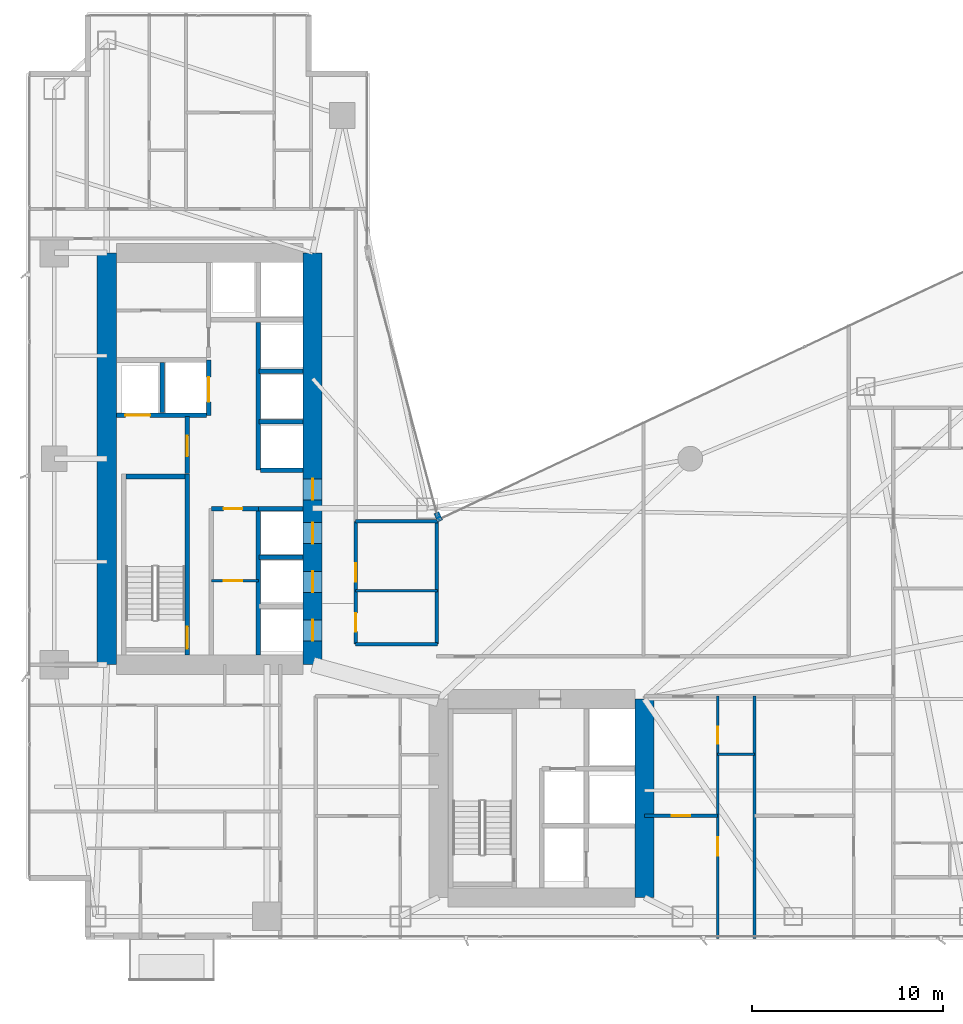
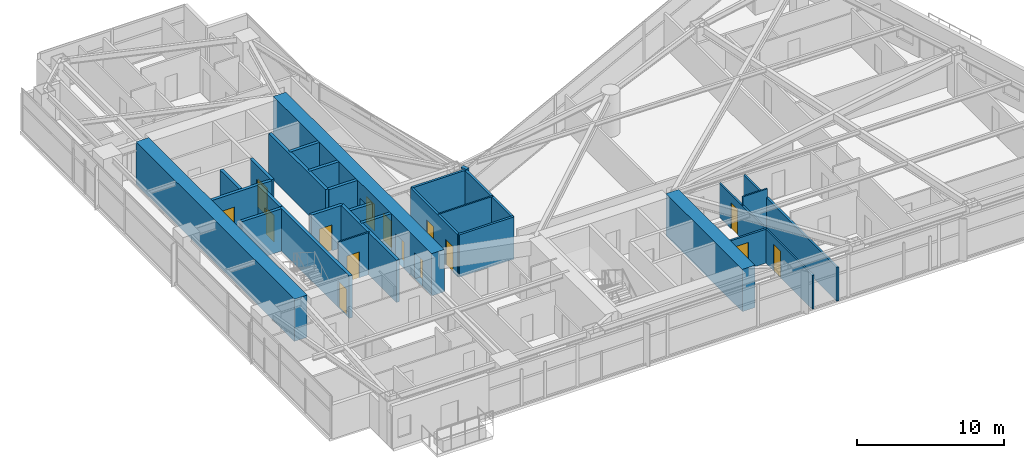
# One storey, part 22 of 28: 28 walls, 15 doors, 15 openings.
"""IFC4 building model written with IfcOpenShell, lengths in metres."""

from ifc_helpers import new_model, si_unit, direction, frame, frame_2d, origin, place, context, subcontext, project, spatial, rectangle, extrude, material, layer, layer_set, type_object, element, fill, save


model = new_model("IFC4")

# Units and contexts
model_context = context("Model", 3, precision=1e-05, world=origin(), true_north=direction((0.0, 1.0)))
body_context = subcontext(model_context, "Body", "Model", "MODEL_VIEW")
ifc_project = project(units=[si_unit("LENGTHUNIT", "METRE"), si_unit("AREAUNIT", "SQUARE_METRE"), si_unit("VOLUMEUNIT", "CUBIC_METRE"), si_unit("PLANEANGLEUNIT", "RADIAN"), si_unit("MASSUNIT", "GRAM", prefix="KILO")], contexts=[model_context])

# Site, building, storey
site_placement = place(None, origin())
site = spatial("IfcSite", under=ifc_project, at=site_placement, CompositionType="ELEMENT")
building_placement = place(site_placement, origin())
building = spatial("IfcBuilding", under=site, at=building_placement, Name="Calvorn Quay Hotel", CompositionType="ELEMENT")
storey_placement = place(building_placement, frame((0.0, 0.0, 88.800048828125)))
storey = spatial("IfcBuildingStorey", under=building, at=storey_placement, Name="L21", CompositionType="ELEMENT", Elevation=88.800048828125)

# Wall
ifc_material_1 = material(Name="Concrete C60", Category="concrete")
ifc_layer_1 = layer(ifc_material_1, 1.0)
ifc_layer_set_1 = layer_set([ifc_layer_1], Name="WL-CORE-1000")
wall_type_1 = type_object("IfcWallType", Name="WL-CORE-1000", PredefinedType="SHEAR", material=ifc_layer_set_1)
wall_1_placement = place(storey_placement, frame((4.199951171875, 16.800048828125, 0.0), z_axis=(0.0, 0.0, 1.0), x_axis=(0.0, 1.0, 0.0)))
element("IfcWall", 1, at=wall_1_placement, inside=storey, type_object=wall_type_1, Name="West Core Shear Wall W (L21)", PredefinedType="SHEAR", context=body_context, shape_type="SweptSolid", body=[
    extrude(rectangle(XDim=21.599853515625, YDim=1.0, at=frame_2d((10.7998046875, 0.0))), origin(), (0.0, 0.0, 1.0), 3.52001953125),
])

# Wall, openings, doors
wall_2_placement = place(storey_placement, frame((15.0, 16.800048828125, 0.0), z_axis=(0.0, 0.0, 1.0), x_axis=(0.0, 1.0, 0.0)))
wall_2 = element("IfcWall", 2, at=wall_2_placement, inside=storey, type_object=wall_type_1, Name="West Core Shear Wall E (L21)", PredefinedType="SHEAR", context=body_context, shape_type="SweptSolid", body=[
    extrude(rectangle(XDim=21.599853515625, YDim=1.0, at=frame_2d((10.7998046875, 0.0))), origin(), (0.0, 0.0, 1.0), 3.52001953125),
])
opening_1_placement = place(wall_2_placement, frame((8.64990234375, 0.0, 0.0)))
opening_1 = element("IfcOpeningElement", 3, at=opening_1_placement, cuts=wall_2, Name="Opening D-L21-CW1", PredefinedType="OPENING", context=body_context, shape_type="SweptSolid", body=[
    extrude(rectangle(XDim=1.10009765625, YDim=2.199951171875, at=frame_2d((0.550048828125, 1.10009765625))), frame((0.0, 0.510009765625, 0.0), z_axis=(0.0, -1.0, 0.0), x_axis=(1.0, 0.0, 0.0)), (0.0, 0.0, 1.0), 1.02001953125),
])
opening_2_placement = place(wall_2_placement, frame((1.25, 0.0, 0.0)))
opening_2 = element("IfcOpeningElement", 4, at=opening_2_placement, cuts=wall_2, Name="Opening LD-L21-L1", PredefinedType="OPENING", context=body_context, shape_type="SweptSolid", body=[
    extrude(rectangle(XDim=1.10009765625, YDim=2.199951171875, at=frame_2d((0.550048828125, 1.10009765625))), frame((0.0, 0.510009765625, 0.0), z_axis=(0.0, -1.0, 0.0), x_axis=(1.0, 0.0, 0.0)), (0.0, 0.0, 1.0), 1.02001953125),
])
opening_3_placement = place(wall_2_placement, frame((3.800048828125, 0.0, 0.0)))
opening_3 = element("IfcOpeningElement", 5, at=opening_3_placement, cuts=wall_2, Name="Opening LD-L21-L2", PredefinedType="OPENING", context=body_context, shape_type="SweptSolid", body=[
    extrude(rectangle(XDim=1.10009765625, YDim=2.199951171875, at=frame_2d((0.550048828125, 1.10009765625))), frame((0.0, 0.510009765625, 0.0), z_axis=(0.0, -1.0, 0.0), x_axis=(1.0, 0.0, 0.0)), (0.0, 0.0, 1.0), 1.02001953125),
])
opening_4_placement = place(wall_2_placement, frame((6.35009765625, 0.0, 0.0)))
opening_4 = element("IfcOpeningElement", 6, at=opening_4_placement, cuts=wall_2, Name="Opening LD-L21-L3", PredefinedType="OPENING", context=body_context, shape_type="SweptSolid", body=[
    extrude(rectangle(XDim=1.10009765625, YDim=2.199951171875, at=frame_2d((0.550048828125, 1.10009765625))), frame((0.0, 0.510009765625, 0.0), z_axis=(0.0, -1.0, 0.0), x_axis=(1.0, 0.0, 0.0)), (0.0, 0.0, 1.0), 1.02001953125),
])
ifc_material_2 = material(Name="Smoke-Sealed Steel Class A Fire Door", Category="steel")
door_type_1 = type_object("IfcDoorType", Name="DR-FFLOBBY-1100", OperationType="NOTDEFINED", PredefinedType="DOOR", material=ifc_material_2)
door_1_placement = place(opening_1_placement, origin())
door_1 = element("IfcDoor", 7, at=door_1_placement, inside=storey, type_object=door_type_1, Name="West Core Vestibule Fire Door (L21)", OperationType="SINGLE_SWING_RIGHT", OverallHeight=2.199951171875, OverallWidth=1.10009765625, PredefinedType="DOOR", context=body_context, shape_type="SweptSolid", body=[
    extrude(rectangle(XDim=1.10009765625, YDim=2.199951171875, at=frame_2d((0.550048828125, 1.10009765625))), frame((0.0, 0.02490234375, 0.0), z_axis=(0.0, -1.0, 0.0), x_axis=(1.0, 0.0, 0.0)), (0.0, 0.0, 1.0), 0.050048828125),
])
fill(opening_1, door_1)
ifc_material_3 = material(Name="Brushed Stainless Steel Sliding Lift Landing Door", Category="steel")
door_type_2 = type_object("IfcDoorType", Name="DR-LIFT-PASS-1100", OperationType="NOTDEFINED", PredefinedType="DOOR", material=ifc_material_3)
door_2_placement = place(opening_2_placement, origin())
door_2 = element("IfcDoor", 8, at=door_2_placement, inside=storey, type_object=door_type_2, Name="Low-Rise Lift PL-L1 Landing Door (L21)", OperationType="DOUBLE_DOOR_SLIDING", OverallHeight=2.199951171875, OverallWidth=1.10009765625, PredefinedType="DOOR", context=body_context, shape_type="SweptSolid", body=[
    extrude(rectangle(XDim=1.10009765625, YDim=2.199951171875, at=frame_2d((0.550048828125, 1.10009765625))), frame((0.0, 0.02490234375, 0.0), z_axis=(0.0, -1.0, 0.0), x_axis=(1.0, 0.0, 0.0)), (0.0, 0.0, 1.0), 0.050048828125),
])
fill(opening_2, door_2)
door_3_placement = place(opening_3_placement, origin())
door_3 = element("IfcDoor", 9, at=door_3_placement, inside=storey, type_object=door_type_2, Name="Low-Rise Lift PL-L2 Landing Door (L21)", OperationType="DOUBLE_DOOR_SLIDING", OverallHeight=2.199951171875, OverallWidth=1.10009765625, PredefinedType="DOOR", context=body_context, shape_type="SweptSolid", body=[
    extrude(rectangle(XDim=1.10009765625, YDim=2.199951171875, at=frame_2d((0.550048828125, 1.10009765625))), frame((0.0, 0.02490234375, 0.0), z_axis=(0.0, -1.0, 0.0), x_axis=(1.0, 0.0, 0.0)), (0.0, 0.0, 1.0), 0.050048828125),
])
fill(opening_3, door_3)
door_4_placement = place(opening_4_placement, origin())
door_4 = element("IfcDoor", 10, at=door_4_placement, inside=storey, type_object=door_type_2, Name="Low-Rise Lift PL-L3 Landing Door (L21)", OperationType="DOUBLE_DOOR_SLIDING", OverallHeight=2.199951171875, OverallWidth=1.10009765625, PredefinedType="DOOR", context=body_context, shape_type="SweptSolid", body=[
    extrude(rectangle(XDim=1.10009765625, YDim=2.199951171875, at=frame_2d((0.550048828125, 1.10009765625))), frame((0.0, 0.02490234375, 0.0), z_axis=(0.0, -1.0, 0.0), x_axis=(1.0, 0.0, 0.0)), (0.0, 0.0, 1.0), 0.050048828125),
])
fill(opening_4, door_4)

# Walls
wall_3_placement = place(storey_placement, frame((32.39990234375, 4.60009765625, 0.0), z_axis=(0.0, 0.0, 1.0), x_axis=(0.0, 1.0, 0.0)))
element("IfcWall", 11, at=wall_3_placement, inside=storey, type_object=wall_type_1, Name="East Core Shear Wall E (L21)", PredefinedType="SHEAR", context=body_context, shape_type="SweptSolid", body=[
    extrude(rectangle(XDim=10.39990234375, YDim=1.0, at=frame_2d((5.199951171875, 0.0))), origin(), (0.0, 0.0, 1.0), 3.52001953125),
])
ifc_material_4 = material(Name="Acoustic Fireboard Steel-Stud Partition", Category="steel")
ifc_layer_2 = layer(ifc_material_4, 0.179931640625)
ifc_layer_set_2 = layer_set([ifc_layer_2], Name="WL-CORR-FIRE-180")
wall_type_2 = type_object("IfcWallType", Name="WL-CORR-FIRE-180", PredefinedType="PARTITIONING", material=ifc_layer_set_2)
wall_4_placement = place(storey_placement, frame((17.25, 17.8798828125, 0.0), z_axis=(0.0, 0.0, 1.0), x_axis=(1.0, 0.0, 0.0)))
element("IfcWall", 12, at=wall_4_placement, inside=storey, type_object=wall_type_2, Name="Partition Wall L21-WL-HK-S", PredefinedType="PARTITIONING", context=body_context, shape_type="SweptSolid", body=[
    extrude(rectangle(XDim=4.300048828125, YDim=0.179931640625, at=frame_2d((2.14990234375, 0.0))), origin(), (0.0, 0.0, 1.0), 3.52001953125),
])
wall_5_placement = place(storey_placement, frame((17.25, 24.320068359375, 0.0), z_axis=(0.0, 0.0, 1.0), x_axis=(1.0, 0.0, 0.0)))
element("IfcWall", 13, at=wall_5_placement, inside=storey, type_object=wall_type_2, Name="Partition Wall L21-WL-HK-N", PredefinedType="PARTITIONING", context=body_context, shape_type="SweptSolid", body=[
    extrude(rectangle(XDim=4.35009765625, YDim=0.179931640625, at=frame_2d((2.175048828125, 0.0))), origin(), (0.0, 0.0, 1.0), 3.52001953125),
])
wall_6_placement = place(storey_placement, frame((21.5, 17.8798828125, 0.0), z_axis=(0.0, 0.0, 1.0), x_axis=(0.0, 1.0, 0.0)))
element("IfcWall", 14, at=wall_6_placement, inside=storey, type_object=wall_type_2, Name="Partition Wall L21-WL-HK-E", PredefinedType="PARTITIONING", context=body_context, shape_type="SweptSolid", body=[
    extrude(rectangle(XDim=6.440185546875, YDim=0.179931640625, at=frame_2d((3.22021484375, 0.0))), origin(), (0.0, 0.0, 1.0), 3.52001953125),
])

# Wall, openings, doors
wall_7_placement = place(storey_placement, frame((17.25, 17.8798828125, 0.0), z_axis=(0.0, 0.0, 1.0), x_axis=(0.0, 1.0, 0.0)))
wall_7 = element("IfcWall", 15, at=wall_7_placement, inside=storey, type_object=wall_type_2, Name="Partition Wall L21-WL-HK-W", PredefinedType="PARTITIONING", context=body_context, shape_type="SweptSolid", body=[
    extrude(rectangle(XDim=6.440185546875, YDim=0.179931640625, at=frame_2d((3.22021484375, 0.0))), origin(), (0.0, 0.0, 1.0), 3.52001953125),
])
opening_5_placement = place(wall_7_placement, frame((0.64990234375, 0.0, 0.0)))
opening_5 = element("IfcOpeningElement", 16, at=opening_5_placement, cuts=wall_7, Name="Opening D-L21-HK", PredefinedType="OPENING", context=body_context, shape_type="SweptSolid", body=[
    extrude(rectangle(XDim=0.97998046875, YDim=2.14990234375, at=frame_2d((0.489990234375, 1.074951171875))), frame((0.0, 0.099853515625, 0.0), z_axis=(0.0, -1.0, 0.0), x_axis=(1.0, 0.0, 0.0)), (0.0, 0.0, 1.0), 0.199951171875),
])
opening_6_placement = place(wall_7_placement, frame((3.27001953125, 0.0, 0.0)))
opening_6 = element("IfcOpeningElement", 17, at=opening_6_placement, cuts=wall_7, Name="Opening D-L21-NCP", PredefinedType="OPENING", context=body_context, shape_type="SweptSolid", body=[
    extrude(rectangle(XDim=0.9599609375, YDim=2.199951171875, at=frame_2d((0.47998046875, 1.10009765625))), frame((0.0, 0.099853515625, 0.0), z_axis=(0.0, -1.0, 0.0), x_axis=(1.0, 0.0, 0.0)), (0.0, 0.0, 1.0), 0.199951171875),
])
ifc_material_5 = material(Name="Painted Steel Housekeeping/Riser Fire Door", Category="steel")
door_type_3 = type_object("IfcDoorType", Name="DR-SERVICE-980", OperationType="NOTDEFINED", PredefinedType="DOOR", material=ifc_material_5)
door_5_placement = place(opening_5_placement, origin())
door_5 = element("IfcDoor", 18, at=door_5_placement, inside=storey, type_object=door_type_3, Name="Floor Housekeeping Door (L21)", OperationType="SINGLE_SWING_LEFT", OverallHeight=2.14990234375, OverallWidth=0.97998046875, PredefinedType="DOOR", context=body_context, shape_type="SweptSolid", body=[
    extrude(rectangle(XDim=0.97998046875, YDim=2.14990234375, at=frame_2d((0.489990234375, 1.074951171875))), frame((0.0, 0.02490234375, 0.0), z_axis=(0.0, -1.0, 0.0), x_axis=(1.0, 0.0, 0.0)), (0.0, 0.0, 1.0), 0.050048828125),
])
fill(opening_5, door_5)
ifc_material_6 = material(Name="Solid Timber Internal Suite Door", Category="wood")
door_type_4 = type_object("IfcDoorType", Name="DR-SUITE-INT-960", OperationType="NOTDEFINED", PredefinedType="DOOR", material=ifc_material_6)
door_6_placement = place(opening_6_placement, origin())
door_6 = element("IfcDoor", 19, at=door_6_placement, inside=storey, type_object=door_type_4, Name="Reading Alcove Door (L21)", OperationType="SINGLE_SWING_RIGHT", OverallHeight=2.199951171875, OverallWidth=0.9599609375, PredefinedType="DOOR", context=body_context, shape_type="SweptSolid", body=[
    extrude(rectangle(XDim=0.9599609375, YDim=2.199951171875, at=frame_2d((0.47998046875, 1.10009765625))), frame((0.0, 0.02490234375, 0.0), z_axis=(0.0, -1.0, 0.0), x_axis=(1.0, 0.0, 0.0)), (0.0, 0.0, 1.0), 0.050048828125),
])
fill(opening_6, door_6)

# Wall, opening, door
ifc_material_7 = material(Name="Moisture-Resistant Tile-Backed Partition")
ifc_layer_3 = layer(ifc_material_7, 0.125)
ifc_layer_set_3 = layer_set([ifc_layer_3], Name="WL-ENSUITE-125")
wall_type_3 = type_object("IfcWallType", Name="WL-ENSUITE-125", PredefinedType="PARTITIONING", material=ifc_layer_set_3)
wall_8_placement = place(storey_placement, frame((9.679931640625, 21.199951171875, 0.0), z_axis=(0.0, 0.0, 1.0), x_axis=(1.0, 0.0, 0.0)))
wall_8 = element("IfcWall", 20, at=wall_8_placement, inside=storey, type_object=wall_type_3, Name="Partition Wall L21-WL-CWW-SER-M", PredefinedType="PARTITIONING", context=body_context, shape_type="SweptSolid", body=[
    extrude(rectangle(XDim=2.469970703125, YDim=0.125, at=frame_2d((1.23486328125, 0.0))), origin(), (0.0, 0.0, 1.0), 3.52001953125),
])
opening_7_placement = place(wall_8_placement, frame((0.64990234375, 0.0, 0.0)))
opening_7 = element("IfcOpeningElement", 21, at=opening_7_placement, cuts=wall_8, Name="Opening D-L21-CSM", PredefinedType="OPENING", context=body_context, shape_type="SweptSolid", body=[
    extrude(rectangle(XDim=0.97998046875, YDim=2.14990234375, at=frame_2d((0.489990234375, 1.074951171875))), frame((0.0, 0.072509765625, 0.0), z_axis=(0.0, -1.0, 0.0), x_axis=(1.0, 0.0, 0.0)), (0.0, 0.0, 1.0), 0.14501953125),
])
door_7_placement = place(opening_7_placement, origin())
door_7 = element("IfcDoor", 22, at=door_7_placement, inside=storey, type_object=door_type_3, Name="Core Valet Pantry Door (L21)", OperationType="SINGLE_SWING_LEFT", OverallHeight=2.14990234375, OverallWidth=0.97998046875, PredefinedType="DOOR", context=body_context, shape_type="SweptSolid", body=[
    extrude(rectangle(XDim=0.97998046875, YDim=2.14990234375, at=frame_2d((0.489990234375, 1.074951171875))), frame((0.0, 0.02490234375, 0.0), z_axis=(0.0, -1.0, 0.0), x_axis=(1.0, 0.0, 0.0)), (0.0, 0.0, 1.0), 0.050048828125),
])
fill(opening_7, door_7)

# Walls
wall_9_placement = place(storey_placement, frame((17.25, 20.679931640625, 0.0), z_axis=(0.0, 0.0, 1.0), x_axis=(1.0, 0.0, 0.0)))
element("IfcWall", 23, at=wall_9_placement, inside=storey, type_object=wall_type_3, Name="Partition Wall L21-WL-HK-M", PredefinedType="PARTITIONING", context=body_context, shape_type="SweptSolid", body=[
    extrude(rectangle(XDim=4.300048828125, YDim=0.125, at=frame_2d((2.14990234375, 0.0))), origin(), (0.0, 0.0, 1.0), 3.52001953125),
])
wall_10_placement = place(storey_placement, frame((36.239990234375, 12.10009765625, 0.0), z_axis=(0.0, 0.0, 1.0), x_axis=(1.0, 0.0, 0.0)))
element("IfcWall", 24, at=wall_10_placement, inside=storey, type_object=wall_type_3, Name="Partition Wall L21-WL-U06-BDV", PredefinedType="PARTITIONING", context=body_context, shape_type="SweptSolid", body=[
    extrude(rectangle(XDim=1.929931640625, YDim=0.125, at=frame_2d((0.96484375, 0.0))), origin(), (0.0, 0.0, 1.0), 3.52001953125),
])

# Wall, openings, doors
wall_11_placement = place(storey_placement, frame((36.239990234375, 2.43994140625, 0.0), z_axis=(0.0, 0.0, 1.0), x_axis=(0.0, 1.0, 0.0)))
wall_11 = element("IfcWall", 25, at=wall_11_placement, inside=storey, type_object=wall_type_3, Name="Partition Wall L21-WL-U06-BV", PredefinedType="PARTITIONING", context=body_context, shape_type="SweptSolid", body=[
    extrude(rectangle(XDim=12.7099609375, YDim=0.125, at=frame_2d((6.35498046875, 0.0))), origin(), (0.0, 0.0, 1.0), 2.820068359375),
])
opening_8_placement = place(wall_11_placement, frame((4.35009765625, 0.0, 0.0)))
opening_8 = element("IfcOpeningElement", 26, at=opening_8_placement, cuts=wall_11, Name="Opening D-L21-S06", PredefinedType="OPENING", context=body_context, shape_type="SweptSolid", body=[
    extrude(rectangle(XDim=0.9599609375, YDim=2.199951171875, at=frame_2d((0.47998046875, 1.10009765625))), frame((0.0, 0.072509765625, 0.0), z_axis=(0.0, -1.0, 0.0), x_axis=(1.0, 0.0, 0.0)), (0.0, 0.0, 1.0), 0.14501953125),
])
opening_9_placement = place(wall_11_placement, frame((10.2099609375, 0.0, 0.0)))
opening_9 = element("IfcOpeningElement", 27, at=opening_9_placement, cuts=wall_11, Name="Opening D-L21-E06", PredefinedType="OPENING", context=body_context, shape_type="SweptSolid", body=[
    extrude(rectangle(XDim=0.89990234375, YDim=2.14990234375, at=frame_2d((0.449951171875, 1.074951171875))), frame((0.0, 0.072509765625, 0.0), z_axis=(0.0, -1.0, 0.0), x_axis=(1.0, 0.0, 0.0)), (0.0, 0.0, 1.0), 0.14501953125),
])
ifc_material_8 = material(Name="Moisture-Sealed Timber En-Suite Door", Category="wood")
door_type_5 = type_object("IfcDoorType", Name="DR-ENSUITE-900", OperationType="NOTDEFINED", PredefinedType="DOOR", material=ifc_material_8)
door_8_placement = place(opening_9_placement, origin())
door_8 = element("IfcDoor", 28, at=door_8_placement, inside=storey, type_object=door_type_5, Name="En-Suite Door 06", OperationType="SINGLE_SWING_RIGHT", OverallHeight=2.14990234375, OverallWidth=0.89990234375, PredefinedType="DOOR", context=body_context, shape_type="SweptSolid", body=[
    extrude(rectangle(XDim=0.89990234375, YDim=2.14990234375, at=frame_2d((0.449951171875, 1.074951171875))), frame((0.0, 0.02490234375, 0.0), z_axis=(0.0, -1.0, 0.0), x_axis=(1.0, 0.0, 0.0)), (0.0, 0.0, 1.0), 0.050048828125),
])
fill(opening_9, door_8)
door_9_placement = place(opening_8_placement, origin())
door_9 = element("IfcDoor", 29, at=door_9_placement, inside=storey, type_object=door_type_4, Name="Curated Resort Boutique Door 06", OperationType="SINGLE_SWING_LEFT", OverallHeight=2.199951171875, OverallWidth=0.9599609375, PredefinedType="DOOR", context=body_context, shape_type="SweptSolid", body=[
    extrude(rectangle(XDim=0.9599609375, YDim=2.199951171875, at=frame_2d((0.47998046875, 1.10009765625))), frame((0.0, 0.02490234375, 0.0), z_axis=(0.0, -1.0, 0.0), x_axis=(1.0, 0.0, 0.0)), (0.0, 0.0, 1.0), 0.050048828125),
])
fill(opening_8, door_9)

# Wall
ifc_material_9 = material(Name="Concrete C40", Category="concrete")
ifc_layer_4 = layer(ifc_material_9, 0.320068359375)
ifc_layer_set_4 = layer_set([ifc_layer_4], Name="WL-EXT-SPANDREL-320")
wall_type_4 = type_object("IfcWallType", Name="WL-EXT-SPANDREL-320", PredefinedType="SOLIDWALL", material=ifc_layer_set_4)
wall_12_placement = place(storey_placement, frame((21.679931640625, 24.340087890625, 0.0), z_axis=(0.0, 0.0, 1.0), x_axis=(-0.40758134973, 0.913168901875, 0.0)))
element("IfcWall", 30, at=wall_12_placement, inside=storey, type_object=wall_type_4, Name="Inner Court Corner Pier L21-ICJ1", PredefinedType="SOLIDWALL", context=body_context, shape_type="SweptSolid", body=[
    extrude(rectangle(XDim=0.470703125, YDim=0.280029296875, at=frame_2d((0.2353515625, 0.0))), origin(), (0.0, 0.0, 1.0), 3.52001953125),
])

# Wall, opening, door
ifc_material_10 = material(Name="Double-Stud Acoustic Gypsum Partition")
ifc_layer_5 = layer(ifc_material_10, 0.159912109375)
ifc_layer_set_5 = layer_set([ifc_layer_5], Name="WL-INTERSUITE-160")
wall_type_5 = type_object("IfcWallType", Name="WL-INTERSUITE-160", PredefinedType="PARTITIONING", material=ifc_layer_set_5)
wall_13_placement = place(storey_placement, frame((32.39990234375, 8.8798828125, 0.0), z_axis=(0.0, 0.0, 1.0), x_axis=(1.0, 0.0, 0.0)))
wall_13 = element("IfcWall", 31, at=wall_13_placement, inside=storey, type_object=wall_type_5, Name="Partition Wall L21-WL-U06-MSP", PredefinedType="PARTITIONING", context=body_context, shape_type="SweptSolid", body=[
    extrude(rectangle(XDim=3.840087890625, YDim=0.159912109375, at=frame_2d((1.919921875, 0.0))), origin(), (0.0, 0.0, 1.0), 2.820068359375),
])
opening_10_placement = place(wall_13_placement, frame((1.43994140625, 0.0, 0.0)))
opening_10 = element("IfcOpeningElement", 32, at=opening_10_placement, cuts=wall_13, Name="Opening D-L21-M06", PredefinedType="OPENING", context=body_context, shape_type="SweptSolid", body=[
    extrude(rectangle(XDim=0.9599609375, YDim=2.199951171875, at=frame_2d((0.47998046875, 1.10009765625))), frame((0.0, 0.08984375, 0.0), z_axis=(0.0, -1.0, 0.0), x_axis=(1.0, 0.0, 0.0)), (0.0, 0.0, 1.0), 0.179931640625),
])
door_10_placement = place(opening_10_placement, origin())
door_10 = element("IfcDoor", 33, at=door_10_placement, inside=storey, type_object=door_type_4, Name="Suite Bedroom Door 06", OperationType="SINGLE_SWING_LEFT", OverallHeight=2.199951171875, OverallWidth=0.9599609375, PredefinedType="DOOR", context=body_context, shape_type="SweptSolid", body=[
    extrude(rectangle(XDim=0.9599609375, YDim=2.199951171875, at=frame_2d((0.47998046875, 1.10009765625))), frame((0.0, 0.02490234375, 0.0), z_axis=(0.0, -1.0, 0.0), x_axis=(1.0, 0.0, 0.0)), (0.0, 0.0, 1.0), 0.050048828125),
])
fill(opening_10, door_10)

# Wall
wall_14_placement = place(storey_placement, frame((38.169921875, 2.43994140625, 0.0), z_axis=(0.0, 0.0, 1.0), x_axis=(0.0, 1.0, 0.0)))
element("IfcWall", 34, at=wall_14_placement, inside=storey, type_object=wall_type_5, Name="Partition Wall L21-WL-SE-DIV-1", PredefinedType="PARTITIONING", context=body_context, shape_type="SweptSolid", body=[
    extrude(rectangle(XDim=12.7099609375, YDim=0.159912109375, at=frame_2d((6.35498046875, 0.0))), origin(), (0.0, 0.0, 1.0), 2.820068359375),
])

# Wall, opening, door
ifc_material_11 = material(Name="Concrete C40", Category="concrete")
ifc_layer_6 = layer(ifc_material_11, 0.239990234375)
ifc_layer_set_6 = layer_set([ifc_layer_6], Name="WL-SHAFT-240")
wall_type_6 = type_object("IfcWallType", Name="WL-SHAFT-240", PredefinedType="SOLIDWALL", material=ifc_layer_set_6)
wall_15_placement = place(storey_placement, frame((8.419921875, 17.300048828125, 0.0), z_axis=(0.0, 0.0, 1.0), x_axis=(0.0, 1.0, 0.0)))
wall_15 = element("IfcWall", 35, at=wall_15_placement, inside=storey, type_object=wall_type_6, Name="Stair STW Shaft Wall E (L21)", PredefinedType="SOLIDWALL", context=body_context, shape_type="SweptSolid", body=[
    extrude(rectangle(XDim=9.489990234375, YDim=0.239990234375, at=frame_2d((4.7451171875, 0.0))), origin(), (0.0, 0.0, 1.0), 3.52001953125),
])
opening_11_placement = place(wall_15_placement, frame((0.35009765625, 0.0, 0.0)))
opening_11 = element("IfcOpeningElement", 36, at=opening_11_placement, cuts=wall_15, Name="Opening D-L21-STW", PredefinedType="OPENING", context=body_context, shape_type="SweptSolid", body=[
    extrude(rectangle(XDim=1.14990234375, YDim=2.199951171875, at=frame_2d((0.574951171875, 1.10009765625))), frame((0.0, 0.1298828125, 0.0), z_axis=(0.0, -1.0, 0.0), x_axis=(1.0, 0.0, 0.0)), (0.0, 0.0, 1.0), 0.260009765625),
])
ifc_material_12 = material(Name="Galvanised Steel Class A Fire Door", Category="steel")
door_type_6 = type_object("IfcDoorType", Name="DR-STAIR-SMOKE-1150", OperationType="NOTDEFINED", PredefinedType="DOOR", material=ifc_material_12)
door_11_placement = place(opening_11_placement, origin())
door_11 = element("IfcDoor", 37, at=door_11_placement, inside=storey, type_object=door_type_6, Name="Stair ST-W Fire Door (L21)", OperationType="SINGLE_SWING_LEFT", OverallHeight=2.199951171875, OverallWidth=1.14990234375, PredefinedType="DOOR", context=body_context, shape_type="SweptSolid", body=[
    extrude(rectangle(XDim=1.14990234375, YDim=2.199951171875, at=frame_2d((0.574951171875, 1.10009765625))), frame((0.0, 0.02490234375, 0.0), z_axis=(0.0, -1.0, 0.0), x_axis=(1.0, 0.0, 0.0)), (0.0, 0.0, 1.0), 0.050048828125),
])
fill(opening_11, door_11)

# Walls
wall_16_placement = place(storey_placement, frame((5.199951171875, 26.669921875, 0.0), z_axis=(0.0, 0.0, 1.0), x_axis=(1.0, 0.0, 0.0)))
element("IfcWall", 38, at=wall_16_placement, inside=storey, type_object=wall_type_6, Name="Stair STW Shaft Wall N (L21)", PredefinedType="SOLIDWALL", context=body_context, shape_type="SweptSolid", body=[
    extrude(rectangle(XDim=3.10009765625, YDim=0.239990234375, at=frame_2d((1.550048828125, 0.0))), origin(), (0.0, 0.0, 1.0), 3.52001953125),
])
for number, where, z_axis, x_axis, name in (
    (39, (12.179931640625, 22.425048828125, 0.0), (0.0, 0.0, 1.0), (1.0, 0.0, 0.0), "Lift Hoistway Divider Wall PLL23 (L21)"),
    (40, (12.179931640625, 29.550048828125, 0.0), (0.0, 0.0, 1.0), (1.0, 0.0, 0.0), "Lift Hoistway Divider Wall PLM12 (L21)"),
    (41, (12.179931640625, 32.199951171875, 0.0), (0.0, 0.0, 1.0), (1.0, 0.0, 0.0), "Lift Hoistway Divider Wall PLM23 (L21)"),
):
    element("IfcWall", number, at=place(storey_placement, frame(where, z_axis=z_axis, x_axis=x_axis)), inside=storey, type_object=wall_type_6, Name=name, PredefinedType="SOLIDWALL", context=body_context, shape_type="SweptSolid", body=[
        extrude(rectangle(XDim=2.320068359375, YDim=0.239990234375, at=frame_2d((1.16015625, 0.0))), origin(), (0.0, 0.0, 1.0), 3.52001953125),
    ])

# Wall, opening, door
wall_17_placement = place(storey_placement, frame((8.419921875, 26.820068359375, 0.0), z_axis=(0.0, 0.0, 1.0), x_axis=(0.0, 1.0, 0.0)))
wall_17 = element("IfcWall", 42, at=wall_17_placement, inside=storey, type_object=wall_type_6, Name="Partition Wall L21-WL-CWW-FFL-E", PredefinedType="SOLIDWALL", context=body_context, shape_type="SweptSolid", body=[
    extrude(rectangle(XDim=3.0, YDim=0.239990234375, at=frame_2d((1.5, 0.0))), origin(), (0.0, 0.0, 1.0), 3.52001953125),
])
opening_12_placement = place(wall_17_placement, frame((0.89990234375, 0.0, 0.0)))
opening_12 = element("IfcOpeningElement", 43, at=opening_12_placement, cuts=wall_17, Name="Opening D-L21-FLW", PredefinedType="OPENING", context=body_context, shape_type="SweptSolid", body=[
    extrude(rectangle(XDim=1.10009765625, YDim=2.199951171875, at=frame_2d((0.550048828125, 1.10009765625))), frame((0.0, 0.1298828125, 0.0), z_axis=(0.0, -1.0, 0.0), x_axis=(1.0, 0.0, 0.0)), (0.0, 0.0, 1.0), 0.260009765625),
])
door_12_placement = place(opening_12_placement, origin())
door_12 = element("IfcDoor", 44, at=door_12_placement, inside=storey, type_object=door_type_1, Name="West Firefighting Lobby Fire Door (L21)", OperationType="SINGLE_SWING_RIGHT", OverallHeight=2.199951171875, OverallWidth=1.10009765625, PredefinedType="DOOR", context=body_context, shape_type="SweptSolid", body=[
    extrude(rectangle(XDim=1.10009765625, YDim=2.199951171875, at=frame_2d((0.550048828125, 1.10009765625))), frame((0.0, 0.02490234375, 0.0), z_axis=(0.0, -1.0, 0.0), x_axis=(1.0, 0.0, 0.0)), (0.0, 0.0, 1.0), 0.050048828125),
])
fill(opening_12, door_12)

wall_18_placement = place(storey_placement, frame((4.719970703125, 29.8798828125, 0.0), z_axis=(0.0, 0.0, 1.0), x_axis=(1.0, 0.0, 0.0)))
wall_18 = element("IfcWall", 45, at=wall_18_placement, inside=storey, type_object=wall_type_6, Name="Partition Wall L21-WL-CWW-FLW-S", PredefinedType="SOLIDWALL", context=body_context, shape_type="SweptSolid", body=[
    extrude(rectangle(XDim=4.699951171875, YDim=0.239990234375, at=frame_2d((2.35009765625, 0.0))), origin(), (0.0, 0.0, 1.0), 3.52001953125),
])
opening_13_placement = place(wall_18_placement, frame((0.449951171875, 0.0, 0.0)))
opening_13 = element("IfcOpeningElement", 46, at=opening_13_placement, cuts=wall_18, Name="Opening LD-L21-FLW1", PredefinedType="OPENING", context=body_context, shape_type="SweptSolid", body=[
    extrude(rectangle(XDim=1.300048828125, YDim=2.35009765625, at=frame_2d((0.64990234375, 1.175048828125))), frame((0.0, 0.1298828125, 0.0), z_axis=(0.0, -1.0, 0.0), x_axis=(1.0, 0.0, 0.0)), (0.0, 0.0, 1.0), 0.260009765625),
])
ifc_material_13 = material(Name="Champagne-Bronze Sliding Express Lift Landing Door")
door_type_7 = type_object("IfcDoorType", Name="DR-LIFT-SHUTTLE-1300", OperationType="NOTDEFINED", PredefinedType="DOOR", material=ifc_material_13)
door_13_placement = place(opening_13_placement, origin())
door_13 = element("IfcDoor", 47, at=door_13_placement, inside=storey, type_object=door_type_7, Name="Firefighting Lift FL-W1 Landing Door (L21)", OperationType="DOUBLE_DOOR_SLIDING", OverallHeight=2.35009765625, OverallWidth=1.300048828125, PredefinedType="DOOR", context=body_context, shape_type="SweptSolid", body=[
    extrude(rectangle(XDim=1.300048828125, YDim=2.35009765625, at=frame_2d((0.64990234375, 1.175048828125))), frame((0.0, 0.02490234375, 0.0), z_axis=(0.0, -1.0, 0.0), x_axis=(1.0, 0.0, 0.0)), (0.0, 0.0, 1.0), 0.050048828125),
])
fill(opening_13, door_13)

# Wall
wall_19_placement = place(storey_placement, frame((7.10009765625, 30.02001953125, 0.0), z_axis=(0.0, 0.0, 1.0), x_axis=(0.0, 1.0, 0.0)))
element("IfcWall", 48, at=wall_19_placement, inside=storey, type_object=wall_type_6, Name="Partition Wall L21-WL-CWW-FLW-DIV", PredefinedType="SOLIDWALL", context=body_context, shape_type="SweptSolid", body=[
    extrude(rectangle(XDim=2.6298828125, YDim=0.239990234375, at=frame_2d((1.31494140625, 0.0))), origin(), (0.0, 0.0, 1.0), 3.52001953125),
])

# Wall, opening, door
wall_20_placement = place(storey_placement, frame((9.5400390625, 29.8798828125, 0.0), z_axis=(0.0, 0.0, 1.0), x_axis=(0.0, 1.0, 0.0)))
wall_20 = element("IfcWall", 49, at=wall_20_placement, inside=storey, type_object=wall_type_6, Name="Partition Wall L21-WL-CWW-SLW-E", PredefinedType="SOLIDWALL", context=body_context, shape_type="SweptSolid", body=[
    extrude(rectangle(XDim=2.900146484375, YDim=0.239990234375, at=frame_2d((1.4501953125, 0.0))), origin(), (0.0, 0.0, 1.0), 3.52001953125),
])
opening_14_placement = place(wall_20_placement, frame((0.699951171875, 0.0, 0.0)))
opening_14 = element("IfcOpeningElement", 50, at=opening_14_placement, cuts=wall_20, Name="Opening LD-L21-SLW1", PredefinedType="OPENING", context=body_context, shape_type="SweptSolid", body=[
    extrude(rectangle(XDim=1.300048828125, YDim=2.35009765625, at=frame_2d((0.64990234375, 1.175048828125))), frame((0.0, 0.1298828125, 0.0), z_axis=(0.0, -1.0, 0.0), x_axis=(1.0, 0.0, 0.0)), (0.0, 0.0, 1.0), 0.260009765625),
])
door_14_placement = place(opening_14_placement, origin())
door_14 = element("IfcDoor", 51, at=door_14_placement, inside=storey, type_object=door_type_7, Name="Service Lift SL-W1 Landing Door (L21)", OperationType="DOUBLE_DOOR_SLIDING", OverallHeight=2.35009765625, OverallWidth=1.300048828125, PredefinedType="DOOR", context=body_context, shape_type="SweptSolid", body=[
    extrude(rectangle(XDim=1.300048828125, YDim=2.35009765625, at=frame_2d((0.64990234375, 1.175048828125))), frame((0.0, 0.02490234375, 0.0), z_axis=(0.0, -1.0, 0.0), x_axis=(1.0, 0.0, 0.0)), (0.0, 0.0, 1.0), 0.050048828125),
])
fill(opening_14, door_14)

# Wall
wall_21_placement = place(storey_placement, frame((12.14990234375, 17.320068359375, 0.0), z_axis=(0.0, 0.0, 1.0), x_axis=(0.0, 1.0, 0.0)))
element("IfcWall", 52, at=wall_21_placement, inside=storey, type_object=wall_type_6, Name="Partition Wall L21-WL-CWW-PLL-W", PredefinedType="SOLIDWALL", context=body_context, shape_type="SweptSolid", body=[
    extrude(rectangle(XDim=7.64990234375, YDim=0.239990234375, at=frame_2d((3.824951171875, 0.0))), origin(), (0.0, 0.0, 1.0), 3.52001953125),
])

# Wall, opening, door
wall_22_placement = place(storey_placement, frame((9.679931640625, 24.969970703125, 0.0), z_axis=(0.0, 0.0, 1.0), x_axis=(1.0, 0.0, 0.0)))
wall_22 = element("IfcWall", 53, at=wall_22_placement, inside=storey, type_object=wall_type_6, Name="Partition Wall L21-WL-CWW-SER-N", PredefinedType="SOLIDWALL", context=body_context, shape_type="SweptSolid", body=[
    extrude(rectangle(XDim=2.469970703125, YDim=0.239990234375, at=frame_2d((1.23486328125, 0.0))), origin(), (0.0, 0.0, 1.0), 3.52001953125),
])
opening_15_placement = place(wall_22_placement, frame((0.64990234375, 0.0, 0.0)))
opening_15 = element("IfcOpeningElement", 54, at=opening_15_placement, cuts=wall_22, Name="Opening D-L21-CSR", PredefinedType="OPENING", context=body_context, shape_type="SweptSolid", body=[
    extrude(rectangle(XDim=0.97998046875, YDim=2.14990234375, at=frame_2d((0.489990234375, 1.074951171875))), frame((0.0, 0.1298828125, 0.0), z_axis=(0.0, -1.0, 0.0), x_axis=(1.0, 0.0, 0.0)), (0.0, 0.0, 1.0), 0.260009765625),
])
door_15_placement = place(opening_15_placement, origin())
door_15 = element("IfcDoor", 55, at=door_15_placement, inside=storey, type_object=door_type_3, Name="Core Service Closet Door (L21)", OperationType="SINGLE_SWING_LEFT", OverallHeight=2.14990234375, OverallWidth=0.97998046875, PredefinedType="DOOR", context=body_context, shape_type="SweptSolid", body=[
    extrude(rectangle(XDim=0.97998046875, YDim=2.14990234375, at=frame_2d((0.489990234375, 1.074951171875))), frame((0.0, 0.02490234375, 0.0), z_axis=(0.0, -1.0, 0.0), x_axis=(1.0, 0.0, 0.0)), (0.0, 0.0, 1.0), 0.050048828125),
])
fill(opening_15, door_15)

# Walls
wall_23_placement = place(storey_placement, frame((12.14990234375, 24.969970703125, 0.0), z_axis=(0.0, 0.0, 1.0), x_axis=(1.0, 0.0, 0.0)))
element("IfcWall", 56, at=wall_23_placement, inside=storey, type_object=wall_type_6, Name="Partition Wall L21-WL-CWW-PLL-SHN", PredefinedType="SOLIDWALL", context=body_context, shape_type="SweptSolid", body=[
    extrude(rectangle(XDim=2.330078125, YDim=0.239990234375, at=frame_2d((1.1650390625, 0.0))), origin(), (0.0, 0.0, 1.0), 2.820068359375),
])
wall_24_placement = place(storey_placement, frame((12.25, 27.0, 0.0), z_axis=(0.0, 0.0, 1.0), x_axis=(1.0, 0.0, 0.0)))
element("IfcWall", 57, at=wall_24_placement, inside=storey, type_object=wall_type_6, Name="Partition Wall L21-WL-CWW-PLM-S", PredefinedType="SOLIDWALL", context=body_context, shape_type="SweptSolid", body=[
    extrude(rectangle(XDim=2.22998046875, YDim=0.239990234375, at=frame_2d((1.114990234375, 0.0))), origin(), (0.0, 0.0, 1.0), 3.52001953125),
])
wall_25_placement = place(storey_placement, frame((12.14990234375, 27.0, 0.0), z_axis=(0.0, 0.0, 1.0), x_axis=(0.0, 1.0, 0.0)))
element("IfcWall", 58, at=wall_25_placement, inside=storey, type_object=wall_type_6, Name="Partition Wall L21-WL-CWW-PLM-W", PredefinedType="SOLIDWALL", context=body_context, shape_type="SweptSolid", body=[
    extrude(rectangle(XDim=7.75, YDim=0.239990234375, at=frame_2d((3.875, 0.0))), origin(), (0.0, 0.0, 1.0), 3.52001953125),
])

save(model, "model.ifc")
